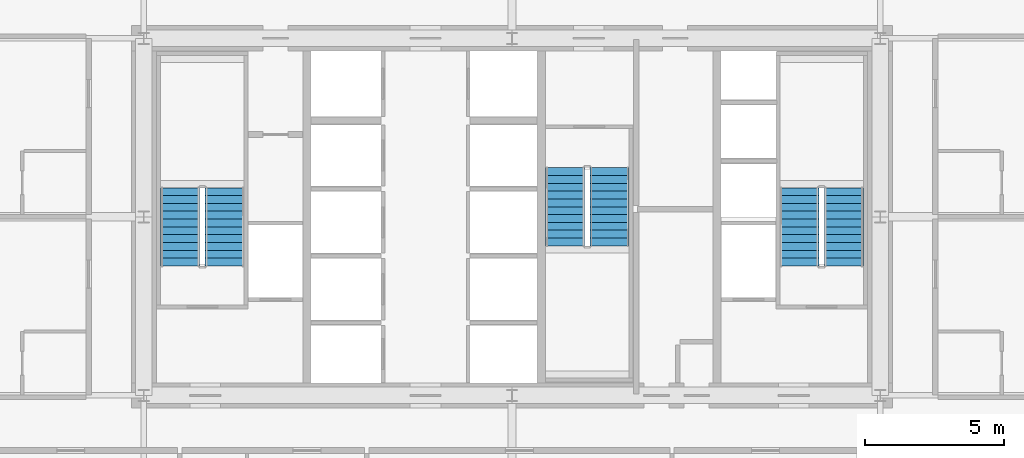
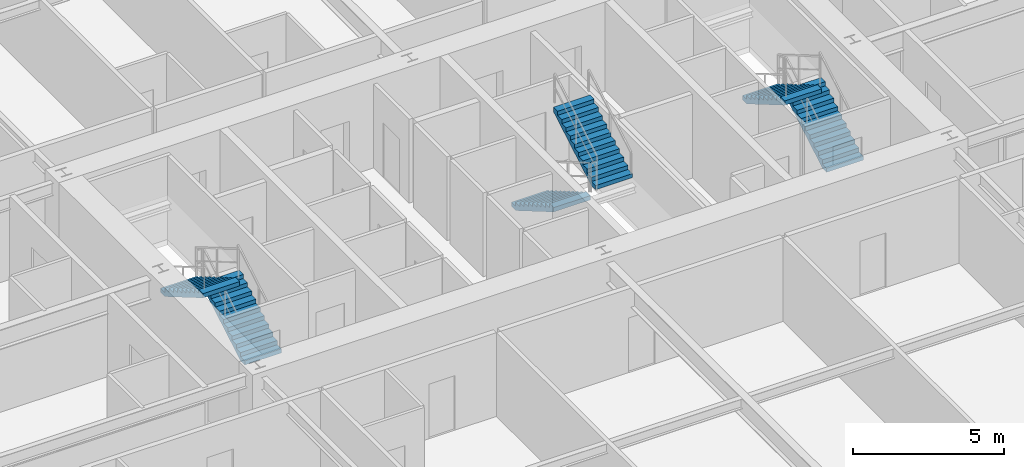
# One storey, part 44 of 45: 6 stair flights, 3 elements without a shape of their own.
"""IFC4 building model written with IfcOpenShell, lengths in metres."""

from ifc_helpers import new_model, si_unit, direction, frame, origin, place, context, subcontext, project, spatial, polyline, outline, extrude, source, transform, mapped, material, type_object, element, aggregate, save


model = new_model("IFC4")

# Units and contexts
model_context = context("Model", 3, precision=1e-05, world=origin(), true_north=direction((0.0, 1.0)))
body_context = subcontext(model_context, "Body", "Model", "MODEL_VIEW")
ifc_project = project(units=[si_unit("LENGTHUNIT", "METRE"), si_unit("AREAUNIT", "SQUARE_METRE"), si_unit("VOLUMEUNIT", "CUBIC_METRE"), si_unit("PLANEANGLEUNIT", "RADIAN"), si_unit("MASSUNIT", "GRAM", prefix="KILO"), si_unit("THERMODYNAMICTEMPERATUREUNIT", "KELVIN"), si_unit("POWERUNIT", "WATT")], contexts=[model_context])

# Site, building, storey
site_placement = place(None, origin())
site = spatial("IfcSite", under=ifc_project, at=site_placement, CompositionType="ELEMENT")
building_placement = place(site_placement, origin())
building = spatial("IfcBuilding", under=site, at=building_placement, Name="Yuzanri Waterfront Tower", CompositionType="ELEMENT")
storey_placement = place(building_placement, frame((0.0, 0.0, 49.60009765625)))
storey = spatial("IfcBuildingStorey", under=building, at=storey_placement, Name="L12", CompositionType="ELEMENT", Elevation=49.60009765625)

# Stair, stair flights
ifc_material_1 = material(Name="Concrete C40", Category="concrete")
stair_type = type_object("IfcStairType", Name="Concrete C40 Core Dogleg Exit Stair", PredefinedType="HALF_TURN_STAIR", material=ifc_material_1)
stair_1_placement = place(storey_placement, origin())
stair_1 = element("IfcStair", 1, at=stair_1_placement, inside=storey, type_object=stair_type, Name="L12 Smoke-Proof Core Stair ST-01", PredefinedType="HALF_TURN_STAIR")
ifc_material_2 = material(Name="Concrete C40", Category="concrete")
stair_flight_type = type_object("IfcStairFlightType", Name="Concrete C40 Precast Stair Flight 1380", PredefinedType="STRAIGHT", material=ifc_material_2)
shared_shape = source(origin(), body_context, "Body", "SweptSolid", [
    extrude(outline(polyline([(0.0, 0.0), (0.0, 0.16357421875), (0.280029296875, 0.16357421875), (0.280029296875, 0.327392578125), (0.56005859375, 0.327392578125), (0.56005859375, 0.490966796875), (0.840087890625, 0.490966796875), (0.840087890625, 0.654541015625), (1.1201171875, 0.654541015625), (1.1201171875, 0.818115234375), (1.39990234375, 0.818115234375), (1.39990234375, 0.98193359375), (1.679931640625, 0.98193359375), (1.679931640625, 1.1455078125), (1.9599609375, 1.1455078125), (1.9599609375, 1.30908203125), (2.239990234375, 1.30908203125), (2.239990234375, 1.47265625), (2.52001953125, 1.47265625), (2.52001953125, 1.636474609375), (2.800048828125, 1.636474609375), (2.800048828125, 1.800048828125), (2.800048828125, 1.462646484375), (0.297119140625, 0.0), (0.0, 0.0)])), frame((0.0, 0.699951171875, 0.0), z_axis=(0.0, -1.0, 0.0), x_axis=(1.0, 0.0, 0.0)), (0.0, 0.0, 1.0), 1.39990234375),
])
stair_flight_1_placement = place(storey_placement, frame((26.699951171875, 24.0400390625, 0.0), z_axis=(0.0, 0.0, 1.0), x_axis=(0.0, 1.0, 0.0)))
stair_flight_1 = element("IfcStairFlight", 2, at=stair_flight_1_placement, type_object=stair_flight_type, Name="ST-01 flight 1", NumberOfRisers=11, NumberOfTreads=10, PredefinedType="STRAIGHT", RiserHeight=0.163636364, TreadLength=0.28, context=body_context, shape_type="MappedRepresentation", body=[
    mapped(shared_shape, transform((0.0, 0.0, 0.0), scale=1.0)),
])
stair_flight_2_placement = place(storey_placement, frame((25.10009765625, 26.840087890625, 1.7998046875), z_axis=(0.0, 0.0, 1.0), x_axis=(0.0, -1.0, 0.0)))
stair_flight_2 = element("IfcStairFlight", 3, at=stair_flight_2_placement, type_object=stair_flight_type, Name="ST-01 flight 2", NumberOfRisers=11, NumberOfTreads=10, PredefinedType="STRAIGHT", RiserHeight=0.163636364, TreadLength=0.28, context=body_context, shape_type="MappedRepresentation", body=[
    mapped(shared_shape, transform((0.0, 0.0, 0.0), scale=1.0)),
])
aggregate(stair_1, [stair_flight_1, stair_flight_2])

stair_2_placement = place(storey_placement, origin())
stair_2 = element("IfcStair", 4, at=stair_2_placement, inside=storey, type_object=stair_type, Name="L12 Smoke-Proof Core Stair ST-02", PredefinedType="HALF_TURN_STAIR")
stair_flight_3_placement = place(storey_placement, frame((48.89990234375, 24.0400390625, 0.0), z_axis=(0.0, 0.0, 1.0), x_axis=(0.0, 1.0, 0.0)))
stair_flight_3 = element("IfcStairFlight", 5, at=stair_flight_3_placement, type_object=stair_flight_type, Name="ST-02 flight 1", NumberOfRisers=11, NumberOfTreads=10, PredefinedType="STRAIGHT", RiserHeight=0.163636364, TreadLength=0.28, context=body_context, shape_type="MappedRepresentation", body=[
    mapped(shared_shape, transform((0.0, 0.0, 0.0), scale=1.0)),
])
stair_flight_4_placement = place(storey_placement, frame((47.300048828125, 26.840087890625, 1.7998046875), z_axis=(0.0, 0.0, 1.0), x_axis=(0.0, -1.0, 0.0)))
stair_flight_4 = element("IfcStairFlight", 6, at=stair_flight_4_placement, type_object=stair_flight_type, Name="ST-02 flight 2", NumberOfRisers=11, NumberOfTreads=10, PredefinedType="STRAIGHT", RiserHeight=0.163636364, TreadLength=0.28, context=body_context, shape_type="MappedRepresentation", body=[
    mapped(shared_shape, transform((0.0, 0.0, 0.0), scale=1.0)),
])
aggregate(stair_2, [stair_flight_3, stair_flight_4])

stair_3_placement = place(storey_placement, origin())
stair_3 = element("IfcStair", 7, at=stair_3_placement, inside=storey, type_object=stair_type, Name="L12 Smoke-Proof Core Stair ST-03", PredefinedType="HALF_TURN_STAIR")
stair_flight_5_placement = place(storey_placement, frame((38.89990234375, 27.56005859375, 0.0), z_axis=(0.0, 0.0, 1.0), x_axis=(0.0, -1.0, 0.0)))
stair_flight_5 = element("IfcStairFlight", 8, at=stair_flight_5_placement, type_object=stair_flight_type, Name="ST-03 flight 1", NumberOfRisers=11, NumberOfTreads=10, PredefinedType="STRAIGHT", RiserHeight=0.163636364, TreadLength=0.28, context=body_context, shape_type="MappedRepresentation", body=[
    mapped(shared_shape, transform((0.0, 0.0, 0.0), scale=1.0)),
])
stair_flight_6_placement = place(storey_placement, frame((40.5, 24.760009765625, 1.7998046875), z_axis=(0.0, 0.0, 1.0), x_axis=(0.0, 1.0, 0.0)))
stair_flight_6 = element("IfcStairFlight", 9, at=stair_flight_6_placement, type_object=stair_flight_type, Name="ST-03 flight 2", NumberOfRisers=11, NumberOfTreads=10, PredefinedType="STRAIGHT", RiserHeight=0.163636364, TreadLength=0.28, context=body_context, shape_type="MappedRepresentation", body=[
    mapped(shared_shape, transform((0.0, 0.0, 0.0), scale=1.0)),
])
aggregate(stair_3, [stair_flight_5, stair_flight_6])

save(model, "model.ifc")
